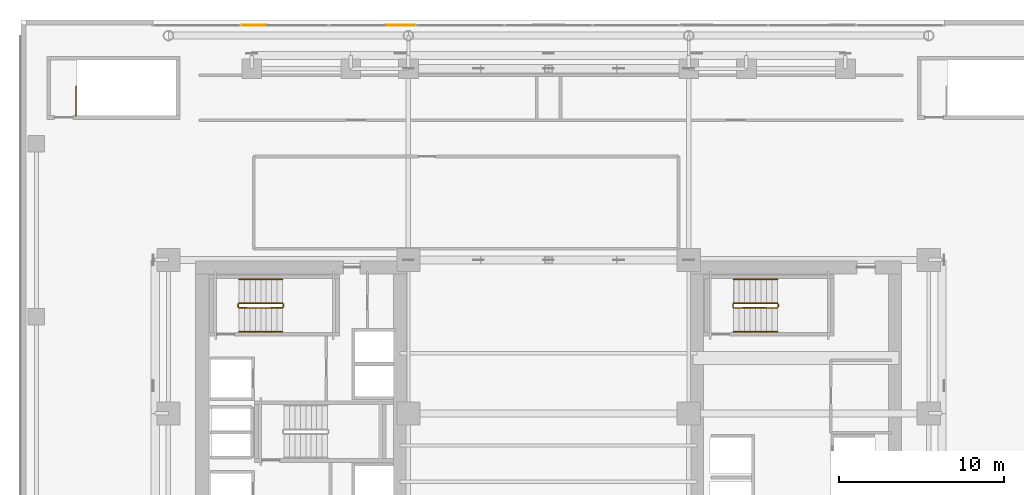
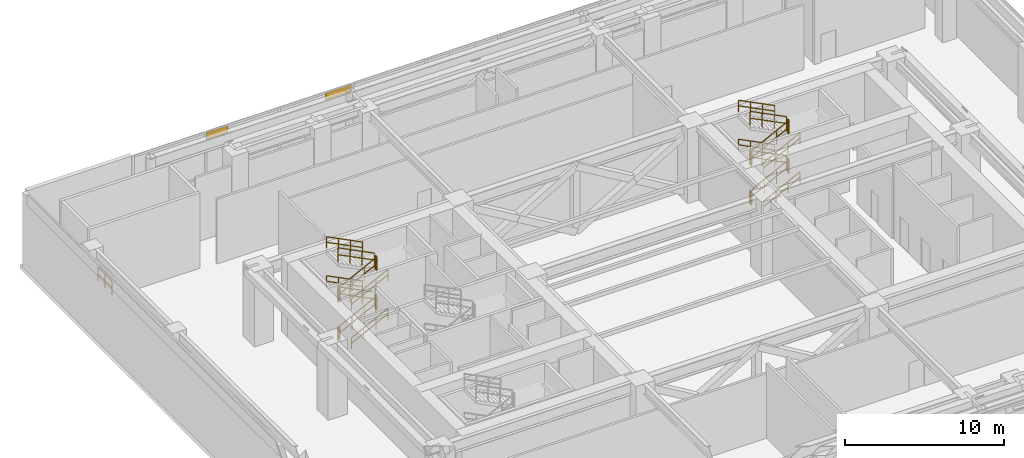
# One storey, part 28 of 29: 25 railings, 1 covering.
"""IFC4 building model written with IfcOpenShell, lengths in metres."""

from ifc_helpers import new_model, si_unit, direction, frame, origin, origin_2d, place, context, subcontext, project, spatial, rectangle, extrude, material, layer, layer_set, type_object, element, save


model = new_model("IFC4")

# Units and contexts
model_context = context("Model", 3, precision=1e-05, world=origin(), true_north=direction((0.0, 1.0)))
body_context = subcontext(model_context, "Body", "Model", "MODEL_VIEW")
ifc_project = project(units=[si_unit("LENGTHUNIT", "METRE"), si_unit("AREAUNIT", "SQUARE_METRE"), si_unit("VOLUMEUNIT", "CUBIC_METRE"), si_unit("PLANEANGLEUNIT", "RADIAN"), si_unit("MASSUNIT", "GRAM", prefix="KILO")], contexts=[model_context])

# Site, building, storey
site_placement = place(None, origin())
site = spatial("IfcSite", under=ifc_project, at=site_placement, CompositionType="ELEMENT")
building_placement = place(site_placement, origin())
building = spatial("IfcBuilding", under=site, at=building_placement, Name="Ocotamira Hotel", CompositionType="ELEMENT")
storey_placement = place(building_placement, frame((0.0, 0.0, 28.800048828125)))
storey = spatial("IfcBuildingStorey", under=building, at=storey_placement, Name="L06", CompositionType="ELEMENT", Elevation=28.800048828125)

# Covering
ifc_material_1 = material(Name="Insulated pale-metal aluminium spandrel panel", Category="aluminium")
ifc_layer = layer(ifc_material_1, 0.044921875)
ifc_layer_set = layer_set([ifc_layer], Name="Insulated pale-metal aluminium spandrel panel")
covering_type = type_object("IfcCoveringType", Name="COV-INFILL-45", PredefinedType="CLADDING", material=ifc_layer_set)
covering_placement = place(storey_placement, origin())
element("IfcCovering", 1, at=covering_placement, inside=storey, type_object=covering_type, Name="L06 Curtain Wall Infill CW-5 CW-L06-N1", PredefinedType="CLADDING", context=body_context, shape_type="SweptSolid", body=[
    extrude(rectangle(XDim=1.564697265625, YDim=0.044921875, at=origin_2d()), frame((14.15625, 51.679931640625, 5.133544921875), z_axis=(0.0, 0.0, 1.0), x_axis=(1.0, 0.0, 0.0)), (0.0, 0.0, 1.0), 0.541015625),
    extrude(rectangle(XDim=1.858154296875, YDim=0.044921875, at=origin_2d()), frame((22.990478515625, 51.679931640625, 5.133544921875), z_axis=(0.0, 0.0, 1.0), x_axis=(1.0, 0.0, 0.0)), (0.0, 0.0, 1.0), 0.541015625),
])

# Railings
ifc_material_2 = material(Name="Brushed stainless steel handrail", Category="steel")
railing_type_1 = type_object("IfcRailingType", Name="RL-HAND-900", PredefinedType="HANDRAIL", material=ifc_material_2)
railing_1_placement = place(storey_placement, frame((13.22998046875, 33.10009765625, 0.333251953125)))
element("IfcRailing", 2, at=railing_1_placement, inside=storey, type_object=railing_type_1, Name="L06 ST-2 stair handrail 1", PredefinedType="HANDRAIL", context=body_context, shape_type="SweptSolid", body=[
    extrude(rectangle(XDim=0.048095703125, YDim=0.048095703125, at=origin_2d()), frame((0.0, 0.0, 0.8759765625), z_axis=(0.892637119617, 0.0, 0.450775967286), x_axis=(0.0, 1.0, 0.0)), (0.0, 0.0, 1.0), 2.957763671875),
    extrude(rectangle(XDim=0.048095703125, YDim=0.048095703125, at=origin_2d()), frame((0.0, 0.0, 0.449951171875), z_axis=(0.892637119617, 0.0, 0.450775967286), x_axis=(0.0, 1.0, 0.0)), (0.0, 0.0, 1.0), 2.957763671875),
    extrude(rectangle(XDim=0.0419921875, YDim=0.0419921875, at=origin_2d()), origin(), (0.0, 0.0, 1.0), 0.851806640625),
    extrude(rectangle(XDim=0.0419921875, YDim=0.0419921875, at=origin_2d()), frame((0.880126953125, 0.0, 0.4443359375)), (0.0, 0.0, 1.0), 0.851806640625),
    extrude(rectangle(XDim=0.0419921875, YDim=0.0419921875, at=origin_2d()), frame((1.760009765625, 0.0, 0.888916015625)), (0.0, 0.0, 1.0), 0.851806640625),
    extrude(rectangle(XDim=0.0419921875, YDim=0.0419921875, at=origin_2d()), frame((2.64013671875, 0.0, 1.333251953125)), (0.0, 0.0, 1.0), 0.851806640625),
])
railing_2_placement = place(storey_placement, frame((15.8701171875, 36.280029296875, 1.833251953125)))
element("IfcRailing", 3, at=railing_2_placement, inside=storey, type_object=railing_type_1, Name="L06 ST-2 stair handrail 2", PredefinedType="HANDRAIL", context=body_context, shape_type="SweptSolid", body=[
    extrude(rectangle(XDim=0.048095703125, YDim=0.048095703125, at=origin_2d()), frame((0.0, 0.0, 0.8759765625), z_axis=(-0.892637119617, 0.0, 0.450775967286), x_axis=(0.0, -1.0, 0.0)), (0.0, 0.0, 1.0), 2.957763671875),
    extrude(rectangle(XDim=0.048095703125, YDim=0.048095703125, at=origin_2d()), frame((0.0, 0.0, 0.449951171875), z_axis=(-0.892637119617, 0.0, 0.450775967286), x_axis=(0.0, -1.0, 0.0)), (0.0, 0.0, 1.0), 2.957763671875),
    extrude(rectangle(XDim=0.0419921875, YDim=0.0419921875, at=origin_2d()), origin(), (0.0, 0.0, 1.0), 0.851806640625),
    extrude(rectangle(XDim=0.0419921875, YDim=0.0419921875, at=origin_2d()), frame((-0.880126953125, 0.0, 0.4443359375)), (0.0, 0.0, 1.0), 0.851806640625),
    extrude(rectangle(XDim=0.0419921875, YDim=0.0419921875, at=origin_2d()), frame((-1.760009765625, 0.0, 0.888916015625)), (0.0, 0.0, 1.0), 0.851806640625),
    extrude(rectangle(XDim=0.0419921875, YDim=0.0419921875, at=origin_2d()), frame((-2.64013671875, 0.0, 1.333251953125)), (0.0, 0.0, 1.0), 0.851806640625),
])
railing_3_placement = place(storey_placement, frame((13.22998046875, 33.10009765625, 3.333251953125)))
element("IfcRailing", 4, at=railing_3_placement, inside=storey, type_object=railing_type_1, Name="L06 ST-2 stair handrail 3", PredefinedType="HANDRAIL", context=body_context, shape_type="SweptSolid", body=[
    extrude(rectangle(XDim=0.048095703125, YDim=0.048095703125, at=origin_2d()), frame((0.0, 0.0, 0.8759765625), z_axis=(0.892637119617, 0.0, 0.450775967286), x_axis=(0.0, 1.0, 0.0)), (0.0, 0.0, 1.0), 2.957763671875),
    extrude(rectangle(XDim=0.048095703125, YDim=0.048095703125, at=origin_2d()), frame((0.0, 0.0, 0.449951171875), z_axis=(0.892637119617, 0.0, 0.450775967286), x_axis=(0.0, 1.0, 0.0)), (0.0, 0.0, 1.0), 2.957763671875),
    extrude(rectangle(XDim=0.0419921875, YDim=0.0419921875, at=origin_2d()), origin(), (0.0, 0.0, 1.0), 0.851806640625),
    extrude(rectangle(XDim=0.0419921875, YDim=0.0419921875, at=origin_2d()), frame((0.880126953125, 0.0, 0.4443359375)), (0.0, 0.0, 1.0), 0.851806640625),
    extrude(rectangle(XDim=0.0419921875, YDim=0.0419921875, at=origin_2d()), frame((1.760009765625, 0.0, 0.888916015625)), (0.0, 0.0, 1.0), 0.851806640625),
    extrude(rectangle(XDim=0.0419921875, YDim=0.0419921875, at=origin_2d()), frame((2.64013671875, 0.0, 1.333251953125)), (0.0, 0.0, 1.0), 0.851806640625),
])
railing_4_placement = place(storey_placement, frame((15.8701171875, 36.280029296875, 4.833251953125)))
element("IfcRailing", 5, at=railing_4_placement, inside=storey, type_object=railing_type_1, Name="L06 ST-2 stair handrail 4", PredefinedType="HANDRAIL", context=body_context, shape_type="SweptSolid", body=[
    extrude(rectangle(XDim=0.048095703125, YDim=0.048095703125, at=origin_2d()), frame((0.0, 0.0, 0.8759765625), z_axis=(-0.892637119617, 0.0, 0.450775967286), x_axis=(0.0, -1.0, 0.0)), (0.0, 0.0, 1.0), 2.957763671875),
    extrude(rectangle(XDim=0.048095703125, YDim=0.048095703125, at=origin_2d()), frame((0.0, 0.0, 0.449951171875), z_axis=(-0.892637119617, 0.0, 0.450775967286), x_axis=(0.0, -1.0, 0.0)), (0.0, 0.0, 1.0), 2.957763671875),
    extrude(rectangle(XDim=0.0419921875, YDim=0.0419921875, at=origin_2d()), origin(), (0.0, 0.0, 1.0), 0.851806640625),
    extrude(rectangle(XDim=0.0419921875, YDim=0.0419921875, at=origin_2d()), frame((-0.880126953125, 0.0, 0.4443359375)), (0.0, 0.0, 1.0), 0.851806640625),
    extrude(rectangle(XDim=0.0419921875, YDim=0.0419921875, at=origin_2d()), frame((-1.760009765625, 0.0, 0.888916015625)), (0.0, 0.0, 1.0), 0.851806640625),
    extrude(rectangle(XDim=0.0419921875, YDim=0.0419921875, at=origin_2d()), frame((-2.64013671875, 0.0, 1.333251953125)), (0.0, 0.0, 1.0), 0.851806640625),
])
railing_5_placement = place(storey_placement, frame((43.22998046875, 33.10009765625, 0.333251953125)))
element("IfcRailing", 6, at=railing_5_placement, inside=storey, type_object=railing_type_1, Name="L06 ST-4 stair handrail 1", PredefinedType="HANDRAIL", context=body_context, shape_type="SweptSolid", body=[
    extrude(rectangle(XDim=0.048095703125, YDim=0.048095703125, at=origin_2d()), frame((0.0, 0.0, 0.8759765625), z_axis=(0.892637119617, 0.0, 0.450775967286), x_axis=(0.0, 1.0, 0.0)), (0.0, 0.0, 1.0), 2.957763671875),
    extrude(rectangle(XDim=0.048095703125, YDim=0.048095703125, at=origin_2d()), frame((0.0, 0.0, 0.449951171875), z_axis=(0.892637119617, 0.0, 0.450775967286), x_axis=(0.0, 1.0, 0.0)), (0.0, 0.0, 1.0), 2.957763671875),
    extrude(rectangle(XDim=0.0419921875, YDim=0.0419921875, at=origin_2d()), origin(), (0.0, 0.0, 1.0), 0.851806640625),
    extrude(rectangle(XDim=0.0419921875, YDim=0.0419921875, at=origin_2d()), frame((0.880126953125, 0.0, 0.4443359375)), (0.0, 0.0, 1.0), 0.851806640625),
    extrude(rectangle(XDim=0.0419921875, YDim=0.0419921875, at=origin_2d()), frame((1.760009765625, 0.0, 0.888916015625)), (0.0, 0.0, 1.0), 0.851806640625),
    extrude(rectangle(XDim=0.0419921875, YDim=0.0419921875, at=origin_2d()), frame((2.64013671875, 0.0, 1.333251953125)), (0.0, 0.0, 1.0), 0.851806640625),
])
railing_6_placement = place(storey_placement, frame((45.8701171875, 36.280029296875, 1.833251953125)))
element("IfcRailing", 7, at=railing_6_placement, inside=storey, type_object=railing_type_1, Name="L06 ST-4 stair handrail 2", PredefinedType="HANDRAIL", context=body_context, shape_type="SweptSolid", body=[
    extrude(rectangle(XDim=0.048095703125, YDim=0.048095703125, at=origin_2d()), frame((0.0, 0.0, 0.8759765625), z_axis=(-0.892637119617, 0.0, 0.450775967286), x_axis=(0.0, -1.0, 0.0)), (0.0, 0.0, 1.0), 2.957763671875),
    extrude(rectangle(XDim=0.048095703125, YDim=0.048095703125, at=origin_2d()), frame((0.0, 0.0, 0.449951171875), z_axis=(-0.892637119617, 0.0, 0.450775967286), x_axis=(0.0, -1.0, 0.0)), (0.0, 0.0, 1.0), 2.957763671875),
    extrude(rectangle(XDim=0.0419921875, YDim=0.0419921875, at=origin_2d()), origin(), (0.0, 0.0, 1.0), 0.851806640625),
    extrude(rectangle(XDim=0.0419921875, YDim=0.0419921875, at=origin_2d()), frame((-0.880126953125, 0.0, 0.4443359375)), (0.0, 0.0, 1.0), 0.851806640625),
    extrude(rectangle(XDim=0.0419921875, YDim=0.0419921875, at=origin_2d()), frame((-1.760009765625, 0.0, 0.888916015625)), (0.0, 0.0, 1.0), 0.851806640625),
    extrude(rectangle(XDim=0.0419921875, YDim=0.0419921875, at=origin_2d()), frame((-2.64013671875, 0.0, 1.333251953125)), (0.0, 0.0, 1.0), 0.851806640625),
])
railing_7_placement = place(storey_placement, frame((43.22998046875, 33.10009765625, 3.333251953125)))
element("IfcRailing", 8, at=railing_7_placement, inside=storey, type_object=railing_type_1, Name="L06 ST-4 stair handrail 3", PredefinedType="HANDRAIL", context=body_context, shape_type="SweptSolid", body=[
    extrude(rectangle(XDim=0.048095703125, YDim=0.048095703125, at=origin_2d()), frame((0.0, 0.0, 0.8759765625), z_axis=(0.892637119617, 0.0, 0.450775967286), x_axis=(0.0, 1.0, 0.0)), (0.0, 0.0, 1.0), 2.957763671875),
    extrude(rectangle(XDim=0.048095703125, YDim=0.048095703125, at=origin_2d()), frame((0.0, 0.0, 0.449951171875), z_axis=(0.892637119617, 0.0, 0.450775967286), x_axis=(0.0, 1.0, 0.0)), (0.0, 0.0, 1.0), 2.957763671875),
    extrude(rectangle(XDim=0.0419921875, YDim=0.0419921875, at=origin_2d()), origin(), (0.0, 0.0, 1.0), 0.851806640625),
    extrude(rectangle(XDim=0.0419921875, YDim=0.0419921875, at=origin_2d()), frame((0.880126953125, 0.0, 0.4443359375)), (0.0, 0.0, 1.0), 0.851806640625),
    extrude(rectangle(XDim=0.0419921875, YDim=0.0419921875, at=origin_2d()), frame((1.760009765625, 0.0, 0.888916015625)), (0.0, 0.0, 1.0), 0.851806640625),
    extrude(rectangle(XDim=0.0419921875, YDim=0.0419921875, at=origin_2d()), frame((2.64013671875, 0.0, 1.333251953125)), (0.0, 0.0, 1.0), 0.851806640625),
])
railing_8_placement = place(storey_placement, frame((45.8701171875, 36.280029296875, 4.833251953125)))
element("IfcRailing", 9, at=railing_8_placement, inside=storey, type_object=railing_type_1, Name="L06 ST-4 stair handrail 4", PredefinedType="HANDRAIL", context=body_context, shape_type="SweptSolid", body=[
    extrude(rectangle(XDim=0.048095703125, YDim=0.048095703125, at=origin_2d()), frame((0.0, 0.0, 0.8759765625), z_axis=(-0.892637119617, 0.0, 0.450775967286), x_axis=(0.0, -1.0, 0.0)), (0.0, 0.0, 1.0), 2.957763671875),
    extrude(rectangle(XDim=0.048095703125, YDim=0.048095703125, at=origin_2d()), frame((0.0, 0.0, 0.449951171875), z_axis=(-0.892637119617, 0.0, 0.450775967286), x_axis=(0.0, -1.0, 0.0)), (0.0, 0.0, 1.0), 2.957763671875),
    extrude(rectangle(XDim=0.0419921875, YDim=0.0419921875, at=origin_2d()), origin(), (0.0, 0.0, 1.0), 0.851806640625),
    extrude(rectangle(XDim=0.0419921875, YDim=0.0419921875, at=origin_2d()), frame((-0.880126953125, 0.0, 0.4443359375)), (0.0, 0.0, 1.0), 0.851806640625),
    extrude(rectangle(XDim=0.0419921875, YDim=0.0419921875, at=origin_2d()), frame((-1.760009765625, 0.0, 0.888916015625)), (0.0, 0.0, 1.0), 0.851806640625),
    extrude(rectangle(XDim=0.0419921875, YDim=0.0419921875, at=origin_2d()), frame((-2.64013671875, 0.0, 1.333251953125)), (0.0, 0.0, 1.0), 0.851806640625),
])
ifc_material_3 = material(Name="Painted steel stair guardrail", Category="steel")
railing_type_2 = type_object("IfcRailingType", Name="RL-STAIR-1100", PredefinedType="GUARDRAIL", material=ifc_material_3)
railing_9_placement = place(storey_placement, frame((13.22998046875, 34.56005859375, 0.16650390625)))
element("IfcRailing", 10, at=railing_9_placement, inside=storey, type_object=railing_type_2, Name="L06 ST-2 stair guard 1", PredefinedType="GUARDRAIL", context=body_context, shape_type="SweptSolid", body=[
    extrude(rectangle(XDim=0.048095703125, YDim=0.048095703125, at=origin_2d()), frame((0.0, 0.0, 1.076171875), z_axis=(0.892603904193, 0.0, 0.450841735223), x_axis=(0.0, 1.0, 0.0)), (0.0, 0.0, 1.0), 2.957763671875),
    extrude(rectangle(XDim=0.048095703125, YDim=0.048095703125, at=origin_2d()), frame((0.0, 0.0, 0.550048828125), z_axis=(0.892603904193, 0.0, 0.450841735223), x_axis=(0.0, 1.0, 0.0)), (0.0, 0.0, 1.0), 2.957763671875),
    extrude(rectangle(XDim=0.0419921875, YDim=0.0419921875, at=origin_2d()), origin(), (0.0, 0.0, 1.0), 1.052001953125),
    extrude(rectangle(XDim=0.0419921875, YDim=0.0419921875, at=origin_2d()), frame((0.880126953125, 0.0, 0.444580078125)), (0.0, 0.0, 1.0), 1.052001953125),
    extrude(rectangle(XDim=0.0419921875, YDim=0.0419921875, at=origin_2d()), frame((1.760009765625, 0.0, 0.888916015625)), (0.0, 0.0, 1.0), 1.052001953125),
    extrude(rectangle(XDim=0.0419921875, YDim=0.0419921875, at=origin_2d()), frame((2.64013671875, 0.0, 1.33349609375)), (0.0, 0.0, 1.0), 1.052001953125),
])
railing_10_placement = place(storey_placement, frame((15.919921875, 34.610107421875, 1.5)))
element("IfcRailing", 11, at=railing_10_placement, inside=storey, type_object=railing_type_2, Name="L06 ST-2 stair guard 2", PredefinedType="GUARDRAIL", context=body_context, shape_type="SweptSolid", body=[
    extrude(rectangle(XDim=0.048095703125, YDim=0.048095703125, at=origin_2d()), frame((0.0, 0.0, 1.076171875), z_axis=(0.0, 1.0, 0.0), x_axis=(-1.0, 0.0, 0.0)), (0.0, 0.0, 1.0), 0.159912109375),
    extrude(rectangle(XDim=0.048095703125, YDim=0.048095703125, at=origin_2d()), frame((0.0, 0.0, 0.550048828125), z_axis=(0.0, 1.0, 0.0), x_axis=(-1.0, 0.0, 0.0)), (0.0, 0.0, 1.0), 0.159912109375),
    extrude(rectangle(XDim=0.0419921875, YDim=0.0419921875, at=origin_2d()), origin(), (0.0, 0.0, 1.0), 1.052001953125),
    extrude(rectangle(XDim=0.0419921875, YDim=0.0419921875, at=origin_2d()), frame((0.0, 0.159912109375, 0.0)), (0.0, 0.0, 1.0), 1.052001953125),
])
railing_11_placement = place(storey_placement, frame((15.8701171875, 34.820068359375, 1.66650390625)))
element("IfcRailing", 12, at=railing_11_placement, inside=storey, type_object=railing_type_2, Name="L06 ST-2 stair guard 3", PredefinedType="GUARDRAIL", context=body_context, shape_type="SweptSolid", body=[
    extrude(rectangle(XDim=0.048095703125, YDim=0.048095703125, at=origin_2d()), frame((0.0, 0.0, 1.076171875), z_axis=(-0.892603904193, 0.0, 0.450841735223), x_axis=(0.0, -1.0, 0.0)), (0.0, 0.0, 1.0), 2.957763671875),
    extrude(rectangle(XDim=0.048095703125, YDim=0.048095703125, at=origin_2d()), frame((0.0, 0.0, 0.550048828125), z_axis=(-0.892603904193, 0.0, 0.450841735223), x_axis=(0.0, -1.0, 0.0)), (0.0, 0.0, 1.0), 2.957763671875),
    extrude(rectangle(XDim=0.0419921875, YDim=0.0419921875, at=origin_2d()), origin(), (0.0, 0.0, 1.0), 1.052001953125),
    extrude(rectangle(XDim=0.0419921875, YDim=0.0419921875, at=origin_2d()), frame((-0.880126953125, 0.0, 0.444580078125)), (0.0, 0.0, 1.0), 1.052001953125),
    extrude(rectangle(XDim=0.0419921875, YDim=0.0419921875, at=origin_2d()), frame((-1.760009765625, 0.0, 0.888916015625)), (0.0, 0.0, 1.0), 1.052001953125),
    extrude(rectangle(XDim=0.0419921875, YDim=0.0419921875, at=origin_2d()), frame((-2.64013671875, 0.0, 1.33349609375)), (0.0, 0.0, 1.0), 1.052001953125),
])
railing_12_placement = place(storey_placement, frame((13.179931640625, 34.610107421875, 3.0)))
element("IfcRailing", 13, at=railing_12_placement, inside=storey, type_object=railing_type_2, Name="L06 ST-2 stair guard 4", PredefinedType="GUARDRAIL", context=body_context, shape_type="SweptSolid", body=[
    extrude(rectangle(XDim=0.048095703125, YDim=0.048095703125, at=origin_2d()), frame((0.0, 0.0, 1.076171875), z_axis=(0.0, 1.0, 0.0), x_axis=(-1.0, 0.0, 0.0)), (0.0, 0.0, 1.0), 0.159912109375),
    extrude(rectangle(XDim=0.048095703125, YDim=0.048095703125, at=origin_2d()), frame((0.0, 0.0, 0.550048828125), z_axis=(0.0, 1.0, 0.0), x_axis=(-1.0, 0.0, 0.0)), (0.0, 0.0, 1.0), 0.159912109375),
    extrude(rectangle(XDim=0.0419921875, YDim=0.0419921875, at=origin_2d()), origin(), (0.0, 0.0, 1.0), 1.052001953125),
    extrude(rectangle(XDim=0.0419921875, YDim=0.0419921875, at=origin_2d()), frame((0.0, 0.159912109375, 0.0)), (0.0, 0.0, 1.0), 1.052001953125),
])
railing_13_placement = place(storey_placement, frame((13.22998046875, 34.56005859375, 3.16650390625)))
element("IfcRailing", 14, at=railing_13_placement, inside=storey, type_object=railing_type_2, Name="L06 ST-2 stair guard 5", PredefinedType="GUARDRAIL", context=body_context, shape_type="SweptSolid", body=[
    extrude(rectangle(XDim=0.048095703125, YDim=0.048095703125, at=origin_2d()), frame((0.0, 0.0, 1.076171875), z_axis=(0.892603904193, 0.0, 0.450841735223), x_axis=(0.0, 1.0, 0.0)), (0.0, 0.0, 1.0), 2.957763671875),
    extrude(rectangle(XDim=0.048095703125, YDim=0.048095703125, at=origin_2d()), frame((0.0, 0.0, 0.550048828125), z_axis=(0.892603904193, 0.0, 0.450841735223), x_axis=(0.0, 1.0, 0.0)), (0.0, 0.0, 1.0), 2.957763671875),
    extrude(rectangle(XDim=0.0419921875, YDim=0.0419921875, at=origin_2d()), origin(), (0.0, 0.0, 1.0), 1.052001953125),
    extrude(rectangle(XDim=0.0419921875, YDim=0.0419921875, at=origin_2d()), frame((0.880126953125, 0.0, 0.444580078125)), (0.0, 0.0, 1.0), 1.052001953125),
    extrude(rectangle(XDim=0.0419921875, YDim=0.0419921875, at=origin_2d()), frame((1.760009765625, 0.0, 0.888916015625)), (0.0, 0.0, 1.0), 1.052001953125),
    extrude(rectangle(XDim=0.0419921875, YDim=0.0419921875, at=origin_2d()), frame((2.64013671875, 0.0, 1.33349609375)), (0.0, 0.0, 1.0), 1.052001953125),
])
railing_14_placement = place(storey_placement, frame((15.919921875, 34.610107421875, 4.5)))
element("IfcRailing", 15, at=railing_14_placement, inside=storey, type_object=railing_type_2, Name="L06 ST-2 stair guard 6", PredefinedType="GUARDRAIL", context=body_context, shape_type="SweptSolid", body=[
    extrude(rectangle(XDim=0.048095703125, YDim=0.048095703125, at=origin_2d()), frame((0.0, 0.0, 1.076171875), z_axis=(0.0, 1.0, 0.0), x_axis=(-1.0, 0.0, 0.0)), (0.0, 0.0, 1.0), 0.159912109375),
    extrude(rectangle(XDim=0.048095703125, YDim=0.048095703125, at=origin_2d()), frame((0.0, 0.0, 0.550048828125), z_axis=(0.0, 1.0, 0.0), x_axis=(-1.0, 0.0, 0.0)), (0.0, 0.0, 1.0), 0.159912109375),
    extrude(rectangle(XDim=0.0419921875, YDim=0.0419921875, at=origin_2d()), origin(), (0.0, 0.0, 1.0), 1.052001953125),
    extrude(rectangle(XDim=0.0419921875, YDim=0.0419921875, at=origin_2d()), frame((0.0, 0.159912109375, 0.0)), (0.0, 0.0, 1.0), 1.052001953125),
])
railing_15_placement = place(storey_placement, frame((15.8701171875, 34.820068359375, 4.66650390625)))
element("IfcRailing", 16, at=railing_15_placement, inside=storey, type_object=railing_type_2, Name="L06 ST-2 stair guard 7", PredefinedType="GUARDRAIL", context=body_context, shape_type="SweptSolid", body=[
    extrude(rectangle(XDim=0.048095703125, YDim=0.048095703125, at=origin_2d()), frame((0.0, 0.0, 1.076171875), z_axis=(-0.892603904193, 0.0, 0.450841735223), x_axis=(0.0, -1.0, 0.0)), (0.0, 0.0, 1.0), 2.957763671875),
    extrude(rectangle(XDim=0.048095703125, YDim=0.048095703125, at=origin_2d()), frame((0.0, 0.0, 0.550048828125), z_axis=(-0.892603904193, 0.0, 0.450841735223), x_axis=(0.0, -1.0, 0.0)), (0.0, 0.0, 1.0), 2.957763671875),
    extrude(rectangle(XDim=0.0419921875, YDim=0.0419921875, at=origin_2d()), origin(), (0.0, 0.0, 1.0), 1.052001953125),
    extrude(rectangle(XDim=0.0419921875, YDim=0.0419921875, at=origin_2d()), frame((-0.880126953125, 0.0, 0.444580078125)), (0.0, 0.0, 1.0), 1.052001953125),
    extrude(rectangle(XDim=0.0419921875, YDim=0.0419921875, at=origin_2d()), frame((-1.760009765625, 0.0, 0.888916015625)), (0.0, 0.0, 1.0), 1.052001953125),
    extrude(rectangle(XDim=0.0419921875, YDim=0.0419921875, at=origin_2d()), frame((-2.64013671875, 0.0, 1.33349609375)), (0.0, 0.0, 1.0), 1.052001953125),
])
railing_16_placement = place(storey_placement, frame((13.179931640625, 34.610107421875, 0.0)))
element("IfcRailing", 17, at=railing_16_placement, inside=storey, type_object=railing_type_2, Name="L06 ST-2 stair guard 8", PredefinedType="GUARDRAIL", context=body_context, shape_type="SweptSolid", body=[
    extrude(rectangle(XDim=0.048095703125, YDim=0.048095703125, at=origin_2d()), frame((0.0, 0.0, 1.076171875), z_axis=(0.0, 1.0, 0.0), x_axis=(-1.0, 0.0, 0.0)), (0.0, 0.0, 1.0), 0.159912109375),
    extrude(rectangle(XDim=0.048095703125, YDim=0.048095703125, at=origin_2d()), frame((0.0, 0.0, 0.550048828125), z_axis=(0.0, 1.0, 0.0), x_axis=(-1.0, 0.0, 0.0)), (0.0, 0.0, 1.0), 0.159912109375),
    extrude(rectangle(XDim=0.0419921875, YDim=0.0419921875, at=origin_2d()), origin(), (0.0, 0.0, 1.0), 1.052001953125),
    extrude(rectangle(XDim=0.0419921875, YDim=0.0419921875, at=origin_2d()), frame((0.0, 0.159912109375, 0.0)), (0.0, 0.0, 1.0), 1.052001953125),
])
railing_17_placement = place(storey_placement, frame((43.22998046875, 34.56005859375, 0.16650390625)))
element("IfcRailing", 18, at=railing_17_placement, inside=storey, type_object=railing_type_2, Name="L06 ST-4 stair guard 1", PredefinedType="GUARDRAIL", context=body_context, shape_type="SweptSolid", body=[
    extrude(rectangle(XDim=0.048095703125, YDim=0.048095703125, at=origin_2d()), frame((0.0, 0.0, 1.076171875), z_axis=(0.892603904193, 0.0, 0.450841735223), x_axis=(0.0, 1.0, 0.0)), (0.0, 0.0, 1.0), 2.957763671875),
    extrude(rectangle(XDim=0.048095703125, YDim=0.048095703125, at=origin_2d()), frame((0.0, 0.0, 0.550048828125), z_axis=(0.892603904193, 0.0, 0.450841735223), x_axis=(0.0, 1.0, 0.0)), (0.0, 0.0, 1.0), 2.957763671875),
    extrude(rectangle(XDim=0.0419921875, YDim=0.0419921875, at=origin_2d()), origin(), (0.0, 0.0, 1.0), 1.052001953125),
    extrude(rectangle(XDim=0.0419921875, YDim=0.0419921875, at=origin_2d()), frame((0.880126953125, 0.0, 0.444580078125)), (0.0, 0.0, 1.0), 1.052001953125),
    extrude(rectangle(XDim=0.0419921875, YDim=0.0419921875, at=origin_2d()), frame((1.760009765625, 0.0, 0.888916015625)), (0.0, 0.0, 1.0), 1.052001953125),
    extrude(rectangle(XDim=0.0419921875, YDim=0.0419921875, at=origin_2d()), frame((2.64013671875, 0.0, 1.33349609375)), (0.0, 0.0, 1.0), 1.052001953125),
])
railing_18_placement = place(storey_placement, frame((45.919921875, 34.610107421875, 1.5)))
element("IfcRailing", 19, at=railing_18_placement, inside=storey, type_object=railing_type_2, Name="L06 ST-4 stair guard 2", PredefinedType="GUARDRAIL", context=body_context, shape_type="SweptSolid", body=[
    extrude(rectangle(XDim=0.048095703125, YDim=0.048095703125, at=origin_2d()), frame((0.0, 0.0, 1.076171875), z_axis=(0.0, 1.0, 0.0), x_axis=(-1.0, 0.0, 0.0)), (0.0, 0.0, 1.0), 0.159912109375),
    extrude(rectangle(XDim=0.048095703125, YDim=0.048095703125, at=origin_2d()), frame((0.0, 0.0, 0.550048828125), z_axis=(0.0, 1.0, 0.0), x_axis=(-1.0, 0.0, 0.0)), (0.0, 0.0, 1.0), 0.159912109375),
    extrude(rectangle(XDim=0.0419921875, YDim=0.0419921875, at=origin_2d()), origin(), (0.0, 0.0, 1.0), 1.052001953125),
    extrude(rectangle(XDim=0.0419921875, YDim=0.0419921875, at=origin_2d()), frame((0.0, 0.159912109375, 0.0)), (0.0, 0.0, 1.0), 1.052001953125),
])
railing_19_placement = place(storey_placement, frame((45.8701171875, 34.820068359375, 1.66650390625)))
element("IfcRailing", 20, at=railing_19_placement, inside=storey, type_object=railing_type_2, Name="L06 ST-4 stair guard 3", PredefinedType="GUARDRAIL", context=body_context, shape_type="SweptSolid", body=[
    extrude(rectangle(XDim=0.048095703125, YDim=0.048095703125, at=origin_2d()), frame((0.0, 0.0, 1.076171875), z_axis=(-0.892603904193, 0.0, 0.450841735223), x_axis=(0.0, -1.0, 0.0)), (0.0, 0.0, 1.0), 2.957763671875),
    extrude(rectangle(XDim=0.048095703125, YDim=0.048095703125, at=origin_2d()), frame((0.0, 0.0, 0.550048828125), z_axis=(-0.892603904193, 0.0, 0.450841735223), x_axis=(0.0, -1.0, 0.0)), (0.0, 0.0, 1.0), 2.957763671875),
    extrude(rectangle(XDim=0.0419921875, YDim=0.0419921875, at=origin_2d()), origin(), (0.0, 0.0, 1.0), 1.052001953125),
    extrude(rectangle(XDim=0.0419921875, YDim=0.0419921875, at=origin_2d()), frame((-0.880126953125, 0.0, 0.444580078125)), (0.0, 0.0, 1.0), 1.052001953125),
    extrude(rectangle(XDim=0.0419921875, YDim=0.0419921875, at=origin_2d()), frame((-1.760009765625, 0.0, 0.888916015625)), (0.0, 0.0, 1.0), 1.052001953125),
    extrude(rectangle(XDim=0.0419921875, YDim=0.0419921875, at=origin_2d()), frame((-2.64013671875, 0.0, 1.33349609375)), (0.0, 0.0, 1.0), 1.052001953125),
])
railing_20_placement = place(storey_placement, frame((43.179931640625, 34.610107421875, 3.0)))
element("IfcRailing", 21, at=railing_20_placement, inside=storey, type_object=railing_type_2, Name="L06 ST-4 stair guard 4", PredefinedType="GUARDRAIL", context=body_context, shape_type="SweptSolid", body=[
    extrude(rectangle(XDim=0.048095703125, YDim=0.048095703125, at=origin_2d()), frame((0.0, 0.0, 1.076171875), z_axis=(0.0, 1.0, 0.0), x_axis=(-1.0, 0.0, 0.0)), (0.0, 0.0, 1.0), 0.159912109375),
    extrude(rectangle(XDim=0.048095703125, YDim=0.048095703125, at=origin_2d()), frame((0.0, 0.0, 0.550048828125), z_axis=(0.0, 1.0, 0.0), x_axis=(-1.0, 0.0, 0.0)), (0.0, 0.0, 1.0), 0.159912109375),
    extrude(rectangle(XDim=0.0419921875, YDim=0.0419921875, at=origin_2d()), origin(), (0.0, 0.0, 1.0), 1.052001953125),
    extrude(rectangle(XDim=0.0419921875, YDim=0.0419921875, at=origin_2d()), frame((0.0, 0.159912109375, 0.0)), (0.0, 0.0, 1.0), 1.052001953125),
])
railing_21_placement = place(storey_placement, frame((43.22998046875, 34.56005859375, 3.16650390625)))
element("IfcRailing", 22, at=railing_21_placement, inside=storey, type_object=railing_type_2, Name="L06 ST-4 stair guard 5", PredefinedType="GUARDRAIL", context=body_context, shape_type="SweptSolid", body=[
    extrude(rectangle(XDim=0.048095703125, YDim=0.048095703125, at=origin_2d()), frame((0.0, 0.0, 1.076171875), z_axis=(0.892603904193, 0.0, 0.450841735223), x_axis=(0.0, 1.0, 0.0)), (0.0, 0.0, 1.0), 2.957763671875),
    extrude(rectangle(XDim=0.048095703125, YDim=0.048095703125, at=origin_2d()), frame((0.0, 0.0, 0.550048828125), z_axis=(0.892603904193, 0.0, 0.450841735223), x_axis=(0.0, 1.0, 0.0)), (0.0, 0.0, 1.0), 2.957763671875),
    extrude(rectangle(XDim=0.0419921875, YDim=0.0419921875, at=origin_2d()), origin(), (0.0, 0.0, 1.0), 1.052001953125),
    extrude(rectangle(XDim=0.0419921875, YDim=0.0419921875, at=origin_2d()), frame((0.880126953125, 0.0, 0.444580078125)), (0.0, 0.0, 1.0), 1.052001953125),
    extrude(rectangle(XDim=0.0419921875, YDim=0.0419921875, at=origin_2d()), frame((1.760009765625, 0.0, 0.888916015625)), (0.0, 0.0, 1.0), 1.052001953125),
    extrude(rectangle(XDim=0.0419921875, YDim=0.0419921875, at=origin_2d()), frame((2.64013671875, 0.0, 1.33349609375)), (0.0, 0.0, 1.0), 1.052001953125),
])
railing_22_placement = place(storey_placement, frame((45.919921875, 34.610107421875, 4.5)))
element("IfcRailing", 23, at=railing_22_placement, inside=storey, type_object=railing_type_2, Name="L06 ST-4 stair guard 6", PredefinedType="GUARDRAIL", context=body_context, shape_type="SweptSolid", body=[
    extrude(rectangle(XDim=0.048095703125, YDim=0.048095703125, at=origin_2d()), frame((0.0, 0.0, 1.076171875), z_axis=(0.0, 1.0, 0.0), x_axis=(-1.0, 0.0, 0.0)), (0.0, 0.0, 1.0), 0.159912109375),
    extrude(rectangle(XDim=0.048095703125, YDim=0.048095703125, at=origin_2d()), frame((0.0, 0.0, 0.550048828125), z_axis=(0.0, 1.0, 0.0), x_axis=(-1.0, 0.0, 0.0)), (0.0, 0.0, 1.0), 0.159912109375),
    extrude(rectangle(XDim=0.0419921875, YDim=0.0419921875, at=origin_2d()), origin(), (0.0, 0.0, 1.0), 1.052001953125),
    extrude(rectangle(XDim=0.0419921875, YDim=0.0419921875, at=origin_2d()), frame((0.0, 0.159912109375, 0.0)), (0.0, 0.0, 1.0), 1.052001953125),
])
railing_23_placement = place(storey_placement, frame((45.8701171875, 34.820068359375, 4.66650390625)))
element("IfcRailing", 24, at=railing_23_placement, inside=storey, type_object=railing_type_2, Name="L06 ST-4 stair guard 7", PredefinedType="GUARDRAIL", context=body_context, shape_type="SweptSolid", body=[
    extrude(rectangle(XDim=0.048095703125, YDim=0.048095703125, at=origin_2d()), frame((0.0, 0.0, 1.076171875), z_axis=(-0.892603904193, 0.0, 0.450841735223), x_axis=(0.0, -1.0, 0.0)), (0.0, 0.0, 1.0), 2.957763671875),
    extrude(rectangle(XDim=0.048095703125, YDim=0.048095703125, at=origin_2d()), frame((0.0, 0.0, 0.550048828125), z_axis=(-0.892603904193, 0.0, 0.450841735223), x_axis=(0.0, -1.0, 0.0)), (0.0, 0.0, 1.0), 2.957763671875),
    extrude(rectangle(XDim=0.0419921875, YDim=0.0419921875, at=origin_2d()), origin(), (0.0, 0.0, 1.0), 1.052001953125),
    extrude(rectangle(XDim=0.0419921875, YDim=0.0419921875, at=origin_2d()), frame((-0.880126953125, 0.0, 0.444580078125)), (0.0, 0.0, 1.0), 1.052001953125),
    extrude(rectangle(XDim=0.0419921875, YDim=0.0419921875, at=origin_2d()), frame((-1.760009765625, 0.0, 0.888916015625)), (0.0, 0.0, 1.0), 1.052001953125),
    extrude(rectangle(XDim=0.0419921875, YDim=0.0419921875, at=origin_2d()), frame((-2.64013671875, 0.0, 1.33349609375)), (0.0, 0.0, 1.0), 1.052001953125),
])
railing_24_placement = place(storey_placement, frame((43.179931640625, 34.610107421875, 0.0)))
element("IfcRailing", 25, at=railing_24_placement, inside=storey, type_object=railing_type_2, Name="L06 ST-4 stair guard 8", PredefinedType="GUARDRAIL", context=body_context, shape_type="SweptSolid", body=[
    extrude(rectangle(XDim=0.048095703125, YDim=0.048095703125, at=origin_2d()), frame((0.0, 0.0, 1.076171875), z_axis=(0.0, 1.0, 0.0), x_axis=(-1.0, 0.0, 0.0)), (0.0, 0.0, 1.0), 0.159912109375),
    extrude(rectangle(XDim=0.048095703125, YDim=0.048095703125, at=origin_2d()), frame((0.0, 0.0, 0.550048828125), z_axis=(0.0, 1.0, 0.0), x_axis=(-1.0, 0.0, 0.0)), (0.0, 0.0, 1.0), 0.159912109375),
    extrude(rectangle(XDim=0.0419921875, YDim=0.0419921875, at=origin_2d()), origin(), (0.0, 0.0, 1.0), 1.052001953125),
    extrude(rectangle(XDim=0.0419921875, YDim=0.0419921875, at=origin_2d()), frame((0.0, 0.159912109375, 0.0)), (0.0, 0.0, 1.0), 1.052001953125),
])
railing_25_placement = place(storey_placement, frame((3.35009765625, 46.199951171875, 0.0)))
element("IfcRailing", 26, at=railing_25_placement, inside=storey, type_object=railing_type_2, Name="L06 ST-5 top well guard 1", PredefinedType="GUARDRAIL", context=body_context, shape_type="SweptSolid", body=[
    extrude(rectangle(XDim=0.048095703125, YDim=0.048095703125, at=origin_2d()), frame((0.0, 0.0, 1.076171875), z_axis=(0.0, 1.0, 0.0), x_axis=(-1.0, 0.0, 0.0)), (0.0, 0.0, 1.0), 1.760009765625),
    extrude(rectangle(XDim=0.048095703125, YDim=0.048095703125, at=origin_2d()), frame((0.0, 0.0, 0.550048828125), z_axis=(0.0, 1.0, 0.0), x_axis=(-1.0, 0.0, 0.0)), (0.0, 0.0, 1.0), 1.760009765625),
    extrude(rectangle(XDim=0.0419921875, YDim=0.0419921875, at=origin_2d()), origin(), (0.0, 0.0, 1.0), 1.052001953125),
    extrude(rectangle(XDim=0.0419921875, YDim=0.0419921875, at=origin_2d()), frame((0.0, 0.8798828125, 0.0)), (0.0, 0.0, 1.0), 1.052001953125),
    extrude(rectangle(XDim=0.0419921875, YDim=0.0419921875, at=origin_2d()), frame((0.0, 1.760009765625, 0.0)), (0.0, 0.0, 1.0), 1.052001953125),
])

save(model, "model.ifc")
